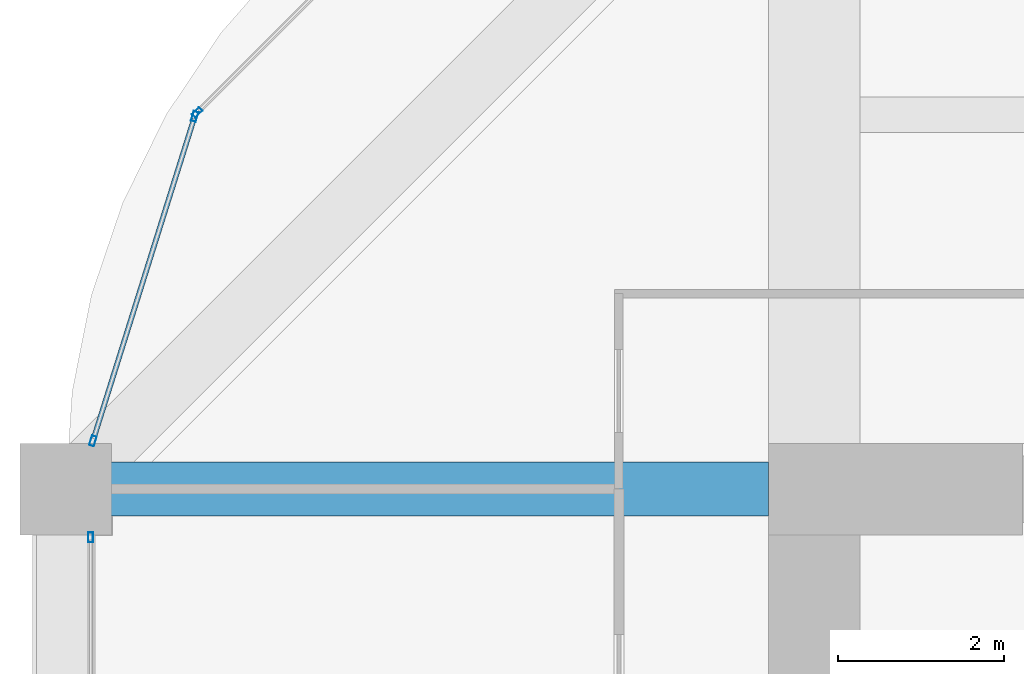
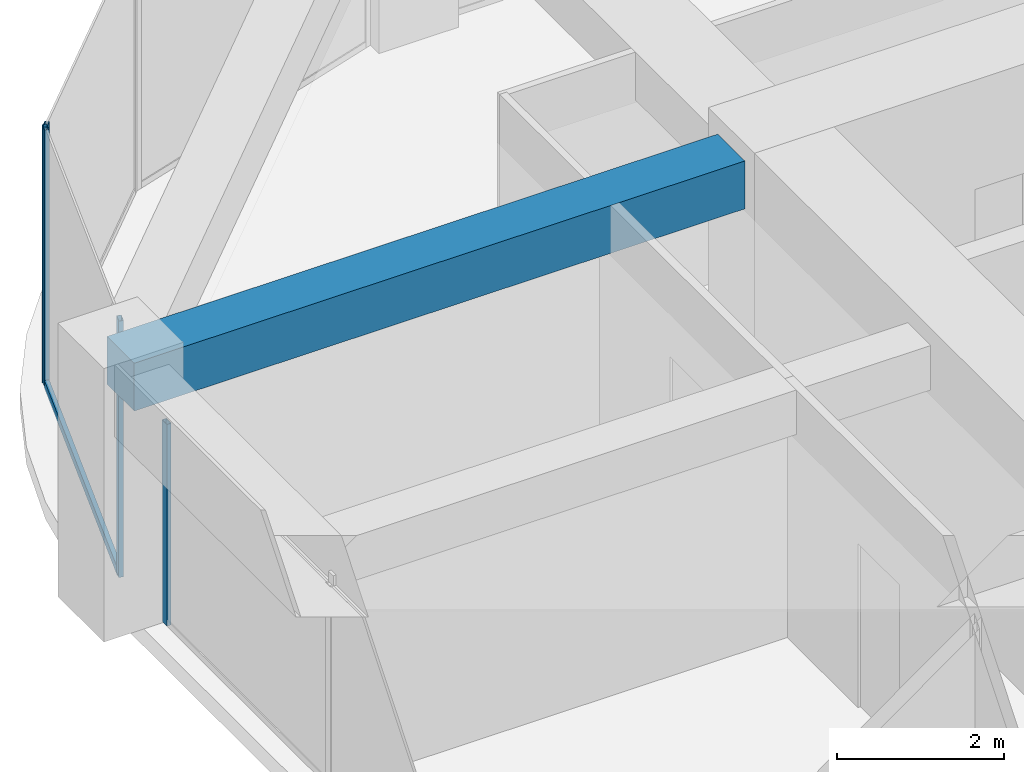
# One storey, part 28 of 44: 5 members, 1 beam, 3 elements without a shape of their own.
"""IFC4 building model written with IfcOpenShell, lengths in metres."""

from ifc_helpers import new_model, si_unit, direction, frame, origin, origin_2d, place, context, subcontext, project, spatial, rectangle, hollow_rectangle, extrude, material, material_profile, profile_set, type_object, element, aggregate, save


model = new_model("IFC4")

# Units and contexts
model_context = context("Model", 3, precision=1e-05, world=origin(), true_north=direction((0.0, 1.0)))
body_context = subcontext(model_context, "Body", "Model", "MODEL_VIEW")
ifc_project = project(units=[si_unit("LENGTHUNIT", "METRE"), si_unit("AREAUNIT", "SQUARE_METRE"), si_unit("VOLUMEUNIT", "CUBIC_METRE"), si_unit("PLANEANGLEUNIT", "RADIAN"), si_unit("MASSUNIT", "GRAM", prefix="KILO")], contexts=[model_context])

# Site, building, storey
site_placement = place(None, origin())
site = spatial("IfcSite", under=ifc_project, at=site_placement, CompositionType="ELEMENT")
building_placement = place(site_placement, origin())
building = spatial("IfcBuilding", under=site, at=building_placement, Name="Zorevar Civic Tower", CompositionType="ELEMENT")
storey_placement = place(building_placement, frame((0.0, 0.0, 259.39990234375)))
storey = spatial("IfcBuildingStorey", under=building, at=storey_placement, Name="L63", CompositionType="ELEMENT", Elevation=259.39990234375)

# Beam
ifc_material_1 = material(Name="Concrete C50/60", Category="concrete")
ifc_material_profile_1 = material_profile(ifc_material_1, rectangle(XDim=0.64990234375, YDim=0.699951171875, at=origin_2d()), Name="RC 650x700")
ifc_profile_set_1 = profile_set([ifc_material_profile_1], Name="Concrete C50/60")
beam_type = type_object("IfcBeamType", Name="Beam RC 650x700", PredefinedType="BEAM", material=ifc_profile_set_1)
beam_placement = place(storey_placement, frame((9.0, 36.0, 3.400146484375), z_axis=(1.0, 0.0, 0.0), x_axis=(0.0, 1.0, 0.0)))
element("IfcBeam", 1, at=beam_placement, inside=storey, type_object=beam_type, Name="Girder L64", PredefinedType="BEAM", context=body_context, shape_type="SweptSolid", body=[
    extrude(rectangle(XDim=0.64990234375, YDim=0.699951171875, at=origin_2d()), origin(), (0.0, 0.0, 1.0), 8.449951171875),
])

# Curtain wall, member
ifc_material_2 = material(Name="Dark grey solar-control glass in black aluminium frame", Category="aluminium")
curtain_wall_type = type_object("IfcCurtainWallType", Name="Curtain wall CW5 top zone", PredefinedType="NOTDEFINED", material=ifc_material_2)
curtain_wall_1_placement = place(storey_placement, origin())
curtain_wall_1 = element("IfcCurtainWall", 2, at=curtain_wall_1_placement, inside=storey, type_object=curtain_wall_type, Name="CW5 L63", PredefinedType="NOTDEFINED")
ifc_material_3 = material(Name="Aluminium, black anodised", Category="aluminium")
ifc_material_profile_2 = material_profile(ifc_material_3, hollow_rectangle(XDim=0.06005859375, YDim=0.1201171875, WallThickness=0.0029296875, at=origin_2d()), Name="AL 120x60x3")
ifc_profile_set_2 = profile_set([ifc_material_profile_2], Name="Aluminium, black anodised")
member_type_1 = type_object("IfcMemberType", Name="CW5 mullion AL 120x60x3", PredefinedType="MULLION", material=ifc_profile_set_2)
member_1_placement = place(storey_placement, frame((9.300048828125, 35.419921875, 0.0), z_axis=(0.0, 0.0, 1.0), x_axis=(-1.0, 0.0, 0.0)))
member_1 = element("IfcMember", 3, at=member_1_placement, type_object=member_type_1, Name="CW5 mullion 3", PredefinedType="MULLION", context=body_context, shape_type="SweptSolid", body=[
    extrude(hollow_rectangle(XDim=0.06005859375, YDim=0.1201171875, WallThickness=0.0029296875, at=origin_2d()), origin(), (0.0, 0.0, 1.0), 2.9501953125),
])
aggregate(curtain_wall_1, [member_1])

curtain_wall_2_placement = place(storey_placement, origin())
curtain_wall_2 = element("IfcCurtainWall", 4, at=curtain_wall_2_placement, inside=storey, type_object=curtain_wall_type, Name="CW5 L63", PredefinedType="NOTDEFINED")
member_2_placement = place(storey_placement, frame((10.580322265625, 40.529052734375, 0.0), z_axis=(0.0, 0.0, 1.0), x_axis=(0.707106781187, -0.707106781187, 0.0)))
member_2 = element("IfcMember", 5, at=member_2_placement, type_object=member_type_1, Name="CW5 mullion 2", PredefinedType="MULLION", context=body_context, shape_type="SweptSolid", body=[
    extrude(hollow_rectangle(XDim=0.06005859375, YDim=0.1201171875, WallThickness=0.0029296875, at=origin_2d()), origin(), (0.0, 0.0, 1.0), 3.75),
])
aggregate(curtain_wall_2, [member_2])

# Curtain wall, members
curtain_wall_3_placement = place(storey_placement, origin())
curtain_wall_3 = element("IfcCurtainWall", 6, at=curtain_wall_3_placement, inside=storey, type_object=curtain_wall_type, Name="CW5 L63", PredefinedType="NOTDEFINED")
member_3_placement = place(storey_placement, frame((10.550048828125, 40.479248046875, 0.0), z_axis=(0.0, 0.0, 1.0), x_axis=(0.954153437674, -0.299317920238, 0.0)))
member_3 = element("IfcMember", 7, at=member_3_placement, type_object=member_type_1, Name="CW5 mullion 1", PredefinedType="MULLION", context=body_context, shape_type="SweptSolid", body=[
    extrude(hollow_rectangle(XDim=0.06005859375, YDim=0.1201171875, WallThickness=0.0029296875, at=origin_2d()), origin(), (0.0, 0.0, 1.0), 3.75),
])
member_4_placement = place(storey_placement, frame((9.326416015625, 36.57861328125, 0.0), z_axis=(0.0, 0.0, 1.0), x_axis=(0.954153437674, -0.299317920238, 0.0)))
member_4 = element("IfcMember", 8, at=member_4_placement, type_object=member_type_1, Name="CW5 mullion 2", PredefinedType="MULLION", context=body_context, shape_type="SweptSolid", body=[
    extrude(hollow_rectangle(XDim=0.06005859375, YDim=0.1201171875, WallThickness=0.0029296875, at=origin_2d()), origin(), (0.0, 0.0, 1.0), 3.75),
])
ifc_material_4 = material(Name="Aluminium, black anodised", Category="aluminium")
ifc_material_profile_3 = material_profile(ifc_material_4, hollow_rectangle(XDim=0.06005859375, YDim=0.1201171875, WallThickness=0.0029296875, at=origin_2d()), Name="AL 120x60x3")
ifc_profile_set_3 = profile_set([ifc_material_profile_3], Name="Aluminium, black anodised")
member_type_2 = type_object("IfcMemberType", Name="CW5 transom AL 120x60x3", PredefinedType="USERDEFINED", material=ifc_profile_set_3)
member_5_placement = place(storey_placement, frame((10.541015625, 40.45068359375, 0.030029296875), z_axis=(-0.299285978047, -0.954163457351, 0.0), x_axis=(0.954163457351, -0.299285978047, 0.0)))
member_5 = element("IfcMember", 9, at=member_5_placement, type_object=member_type_2, Name="CW5 sill transom", ObjectType="TRANSOM", PredefinedType="USERDEFINED", context=body_context, shape_type="SweptSolid", body=[
    extrude(hollow_rectangle(XDim=0.06005859375, YDim=0.1201171875, WallThickness=0.0029296875, at=origin_2d()), origin(), (0.0, 0.0, 1.0), 4.028076171875),
])
aggregate(curtain_wall_3, [member_3, member_4, member_5])

save(model, "model.ifc")
